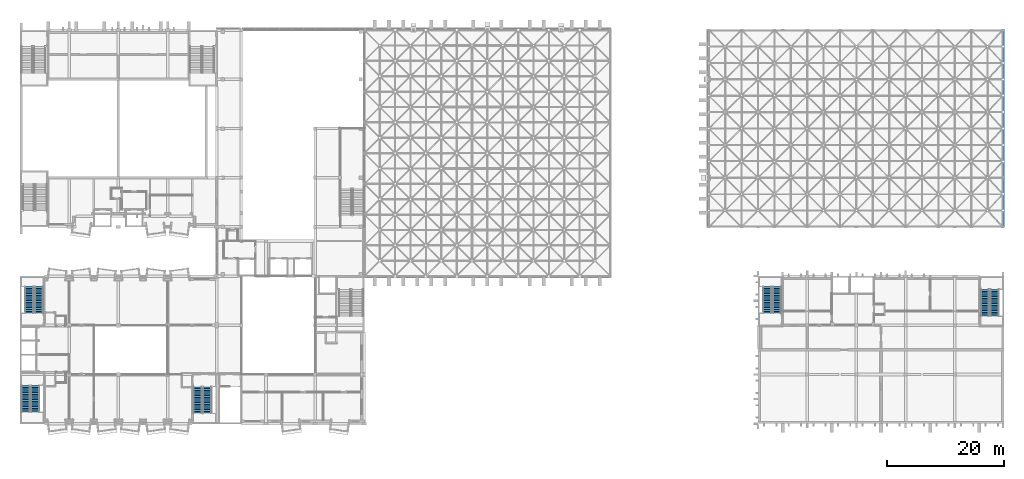
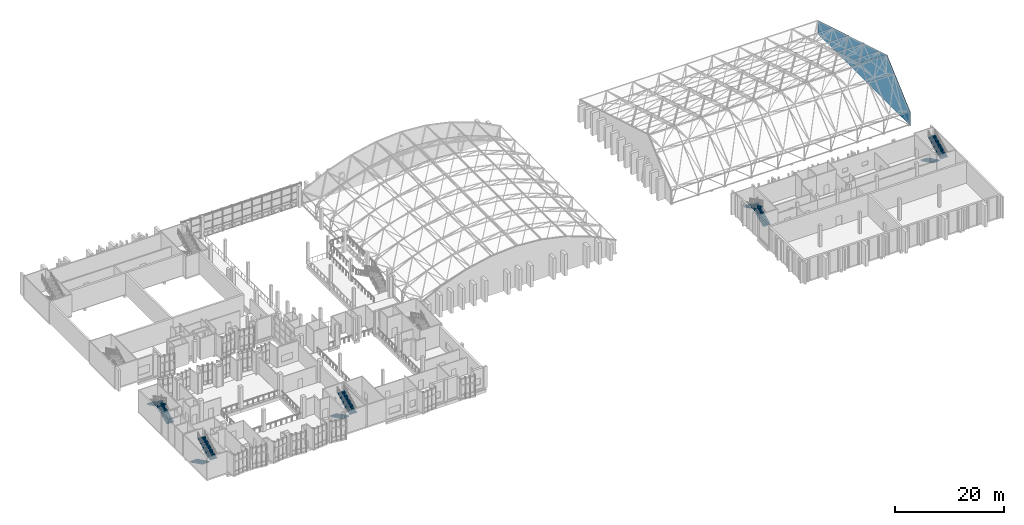
# One storey, part 73 of 100: 10 stair flights, 1 wall, 5 elements without a shape of their own.
"""IFC4 building model written with IfcOpenShell, lengths in metres."""

from ifc_helpers import new_model, si_unit, direction, frame, origin, place, context, subcontext, project, spatial, polyline, outline, extrude, material, layer, layer_set, type_object, element, aggregate, save


model = new_model("IFC4")

# Units and contexts
model_context = context("Model", 3, precision=1e-05, world=origin(), true_north=direction((0.0, 1.0)))
body_context = subcontext(model_context, "Body", "Model", "MODEL_VIEW")
ifc_project = project(units=[si_unit("LENGTHUNIT", "METRE"), si_unit("AREAUNIT", "SQUARE_METRE"), si_unit("VOLUMEUNIT", "CUBIC_METRE"), si_unit("PLANEANGLEUNIT", "RADIAN"), si_unit("MASSUNIT", "GRAM", prefix="KILO")], contexts=[model_context])

# Site, building, storey
site_placement = place(None, origin())
site = spatial("IfcSite", under=ifc_project, at=site_placement, CompositionType="ELEMENT")
building_placement = place(site_placement, origin())
building = spatial("IfcBuilding", under=site, at=building_placement, Name="Kiln Court Media Centre", CompositionType="ELEMENT")
storey_placement = place(building_placement, frame((0.0, 0.0, 15.0)))
storey = spatial("IfcBuildingStorey", under=building, at=storey_placement, Name="L03", CompositionType="ELEMENT", Elevation=15.0)

# Wall
ifc_material_1 = material(Name="Aluminium 6063-T6", Category="aluminium")
ifc_layer = layer(ifc_material_1, 0.10009765625)
ifc_layer_set = layer_set([ifc_layer], Name="Aluminium louvred gable infill wall 100")
wall_type = type_object("IfcWallType", Name="Aluminium louvred gable infill wall 100", PredefinedType="SOLIDWALL", material=ifc_layer_set)
wall_placement = place(storey_placement, frame((167.949951171875, 33.60009765625, 0.0), z_axis=(0.0, 0.0, 1.0), x_axis=(0.0, 1.0, 0.0)))
element("IfcWall", 1, at=wall_placement, inside=storey, type_object=wall_type, Name="V2 E gable infill wall", PredefinedType="SOLIDWALL", context=body_context, shape_type="SweptSolid", body=[
    extrude(outline(polyline([(0.0, 0.0), (33.599853515625, 0.0), (33.60009765625, 3.0), (28.0, 4.666748046875), (22.39990234375, 6.333251953125), (16.800048828125, 8.0), (11.199951171875, 9.666748046875), (8.39990234375, 10.5), (5.60009765625, 8.0), (0.0, 3.0), (0.0, 0.0)])), frame((0.0, 0.050048828125, 0.0), z_axis=(0.0, -1.0, 0.0), x_axis=(1.0, 0.0, 0.0)), (0.0, 0.0, 1.0), 0.10009765625),
])

# Stair, stair flights
ifc_material_2 = material(Name="Concrete C40/50", Category="concrete")
stair_type = type_object("IfcStairType", Name="Concrete C40/50 dog-leg stair 1500 wide, 150 riser", PredefinedType="HALF_TURN_STAIR", material=ifc_material_2)
stair_1_placement = place(storey_placement, origin())
stair_1 = element("IfcStair", 2, at=stair_1_placement, inside=storey, type_object=stair_type, Name="ST-01 L03", PredefinedType="HALF_TURN_STAIR")
ifc_material_3 = material(Name="Concrete C40/50", Category="concrete")
stair_flight_type = type_object("IfcStairFlightType", Name="Concrete C40/50 stair flight 1500 wide, 150 riser, 300 going", PredefinedType="STRAIGHT", material=ifc_material_3)
stair_flight_1_placement = place(storey_placement, frame((0.949951171875, 6.5, 0.0), z_axis=(0.0, 0.0, 1.0), x_axis=(0.0, -1.0, 0.0)))
stair_flight_1 = element("IfcStairFlight", 3, at=stair_flight_1_placement, type_object=stair_flight_type, Name="L03-ST-5000 flight 5000", NumberOfRisers=16, NumberOfTreads=15, PredefinedType="STRAIGHT", RiserHeight=0.15, TreadLength=0.3, context=body_context, shape_type="SweptSolid", body=[
    extrude(outline(polyline([(0.0, 0.0), (0.0, 0.14990234375), (0.300048828125, 0.14990234375), (0.300048828125, 0.300048828125), (0.60009765625, 0.300048828125), (0.60009765625, 0.449951171875), (0.89990234375, 0.449951171875), (0.89990234375, 0.60009765625), (1.199951171875, 0.60009765625), (1.199951171875, 0.75), (1.5, 0.75), (1.5, 0.89990234375), (1.800048828125, 0.89990234375), (1.800048828125, 1.050048828125), (2.10009765625, 1.050048828125), (2.10009765625, 1.199951171875), (2.39990234375, 1.199951171875), (2.39990234375, 1.35009765625), (2.699951171875, 1.35009765625), (2.699951171875, 1.5), (3.0, 1.5), (3.0, 1.64990234375), (3.300048828125, 1.64990234375), (3.300048828125, 1.800048828125), (3.60009765625, 1.800048828125), (3.60009765625, 1.949951171875), (3.89990234375, 1.949951171875), (3.89990234375, 2.10009765625), (4.199951171875, 2.10009765625), (4.199951171875, 2.25), (4.5, 2.25), (4.5, 2.39990234375), (4.5, 2.08251953125), (0.335205078125, 0.0), (0.0, 0.0)])), frame((0.0, 0.75, 0.0), z_axis=(0.0, -1.0, 0.0), x_axis=(1.0, 0.0, 0.0)), (0.0, 0.0, 1.0), 1.5),
])
stair_flight_2_placement = place(storey_placement, frame((2.60009765625, 2.0, 2.39990234375), z_axis=(0.0, 0.0, 1.0), x_axis=(0.0, 1.0, 0.0)))
stair_flight_2 = element("IfcStairFlight", 4, at=stair_flight_2_placement, type_object=stair_flight_type, Name="L03-ST-5000 flight 5001", NumberOfRisers=16, NumberOfTreads=15, PredefinedType="STRAIGHT", RiserHeight=0.15, TreadLength=0.3, context=body_context, shape_type="SweptSolid", body=[
    extrude(outline(polyline([(0.0, 0.0), (0.0, 0.14990234375), (0.300048828125, 0.14990234375), (0.300048828125, 0.300048828125), (0.60009765625, 0.300048828125), (0.60009765625, 0.449951171875), (0.89990234375, 0.449951171875), (0.89990234375, 0.60009765625), (1.199951171875, 0.60009765625), (1.199951171875, 0.75), (1.5, 0.75), (1.5, 0.89990234375), (1.800048828125, 0.89990234375), (1.800048828125, 1.050048828125), (2.10009765625, 1.050048828125), (2.10009765625, 1.199951171875), (2.39990234375, 1.199951171875), (2.39990234375, 1.35009765625), (2.699951171875, 1.35009765625), (2.699951171875, 1.5), (3.0, 1.5), (3.0, 1.64990234375), (3.300048828125, 1.64990234375), (3.300048828125, 1.800048828125), (3.60009765625, 1.800048828125), (3.60009765625, 1.949951171875), (3.89990234375, 1.949951171875), (3.89990234375, 2.10009765625), (4.199951171875, 2.10009765625), (4.199951171875, 2.25), (4.5, 2.25), (4.5, 2.39990234375), (4.5, 2.08251953125), (0.335205078125, 0.0), (0.0, 0.0)])), frame((0.0, 0.75, 0.0), z_axis=(0.0, -1.0, 0.0), x_axis=(1.0, 0.0, 0.0)), (0.0, 0.0, 1.0), 1.5),
])
aggregate(stair_1, [stair_flight_1, stair_flight_2])

stair_2_placement = place(storey_placement, origin())
stair_2 = element("IfcStair", 5, at=stair_2_placement, inside=storey, type_object=stair_type, Name="ST-02 L03", PredefinedType="HALF_TURN_STAIR")
stair_flight_3_placement = place(storey_placement, frame((3.25, 18.89990234375, 0.0), z_axis=(0.0, 0.0, 1.0), x_axis=(0.0, 1.0, 0.0)))
stair_flight_3 = element("IfcStairFlight", 6, at=stair_flight_3_placement, type_object=stair_flight_type, Name="L03-ST-5001 flight 5002", NumberOfRisers=16, NumberOfTreads=15, PredefinedType="STRAIGHT", RiserHeight=0.15, TreadLength=0.3, context=body_context, shape_type="SweptSolid", body=[
    extrude(outline(polyline([(0.0, 0.0), (0.0, 0.14990234375), (0.300048828125, 0.14990234375), (0.300048828125, 0.300048828125), (0.60009765625, 0.300048828125), (0.60009765625, 0.449951171875), (0.89990234375, 0.449951171875), (0.89990234375, 0.60009765625), (1.199951171875, 0.60009765625), (1.199951171875, 0.75), (1.5, 0.75), (1.5, 0.89990234375), (1.800048828125, 0.89990234375), (1.800048828125, 1.050048828125), (2.10009765625, 1.050048828125), (2.10009765625, 1.199951171875), (2.39990234375, 1.199951171875), (2.39990234375, 1.35009765625), (2.699951171875, 1.35009765625), (2.699951171875, 1.5), (3.0, 1.5), (3.0, 1.64990234375), (3.300048828125, 1.64990234375), (3.300048828125, 1.800048828125), (3.60009765625, 1.800048828125), (3.60009765625, 1.949951171875), (3.89990234375, 1.949951171875), (3.89990234375, 2.10009765625), (4.199951171875, 2.10009765625), (4.199951171875, 2.25), (4.5, 2.25), (4.5, 2.39990234375), (4.5, 2.08251953125), (0.335205078125, 0.0), (0.0, 0.0)])), frame((0.0, 0.75, 0.0), z_axis=(0.0, -1.0, 0.0), x_axis=(1.0, 0.0, 0.0)), (0.0, 0.0, 1.0), 1.5),
])
stair_flight_4_placement = place(storey_placement, frame((1.60009765625, 23.39990234375, 2.39990234375), z_axis=(0.0, 0.0, 1.0), x_axis=(0.0, -1.0, 0.0)))
stair_flight_4 = element("IfcStairFlight", 7, at=stair_flight_4_placement, type_object=stair_flight_type, Name="L03-ST-5001 flight 5003", NumberOfRisers=16, NumberOfTreads=15, PredefinedType="STRAIGHT", RiserHeight=0.15, TreadLength=0.3, context=body_context, shape_type="SweptSolid", body=[
    extrude(outline(polyline([(0.0, 0.0), (0.0, 0.14990234375), (0.300048828125, 0.14990234375), (0.300048828125, 0.300048828125), (0.60009765625, 0.300048828125), (0.60009765625, 0.449951171875), (0.89990234375, 0.449951171875), (0.89990234375, 0.60009765625), (1.199951171875, 0.60009765625), (1.199951171875, 0.75), (1.5, 0.75), (1.5, 0.89990234375), (1.800048828125, 0.89990234375), (1.800048828125, 1.050048828125), (2.10009765625, 1.050048828125), (2.10009765625, 1.199951171875), (2.39990234375, 1.199951171875), (2.39990234375, 1.35009765625), (2.699951171875, 1.35009765625), (2.699951171875, 1.5), (3.0, 1.5), (3.0, 1.64990234375), (3.300048828125, 1.64990234375), (3.300048828125, 1.800048828125), (3.60009765625, 1.800048828125), (3.60009765625, 1.949951171875), (3.89990234375, 1.949951171875), (3.89990234375, 2.10009765625), (4.199951171875, 2.10009765625), (4.199951171875, 2.25), (4.5, 2.25), (4.5, 2.39990234375), (4.5, 2.08251953125), (0.335205078125, 0.0), (0.0, 0.0)])), frame((0.0, 0.75, 0.0), z_axis=(0.0, -1.0, 0.0), x_axis=(1.0, 0.0, 0.0)), (0.0, 0.0, 1.0), 1.5),
])
aggregate(stair_2, [stair_flight_3, stair_flight_4])

stair_3_placement = place(storey_placement, origin())
stair_3 = element("IfcStair", 8, at=stair_3_placement, inside=storey, type_object=stair_type, Name="ST-03 L03", PredefinedType="HALF_TURN_STAIR")
stair_flight_5_placement = place(storey_placement, frame((30.35009765625, 6.300048828125, 0.0), z_axis=(0.0, 0.0, 1.0), x_axis=(0.0, -1.0, 0.0)))
stair_flight_5 = element("IfcStairFlight", 9, at=stair_flight_5_placement, type_object=stair_flight_type, Name="L03-ST-5002 flight 5004", NumberOfRisers=16, NumberOfTreads=15, PredefinedType="STRAIGHT", RiserHeight=0.15, TreadLength=0.3, context=body_context, shape_type="SweptSolid", body=[
    extrude(outline(polyline([(0.0, 0.0), (0.0, 0.14990234375), (0.300048828125, 0.14990234375), (0.300048828125, 0.300048828125), (0.60009765625, 0.300048828125), (0.60009765625, 0.449951171875), (0.89990234375, 0.449951171875), (0.89990234375, 0.60009765625), (1.199951171875, 0.60009765625), (1.199951171875, 0.75), (1.5, 0.75), (1.5, 0.89990234375), (1.800048828125, 0.89990234375), (1.800048828125, 1.050048828125), (2.10009765625, 1.050048828125), (2.10009765625, 1.199951171875), (2.39990234375, 1.199951171875), (2.39990234375, 1.35009765625), (2.699951171875, 1.35009765625), (2.699951171875, 1.5), (3.0, 1.5), (3.0, 1.64990234375), (3.300048828125, 1.64990234375), (3.300048828125, 1.800048828125), (3.60009765625, 1.800048828125), (3.60009765625, 1.949951171875), (3.89990234375, 1.949951171875), (3.89990234375, 2.10009765625), (4.199951171875, 2.10009765625), (4.199951171875, 2.25), (4.5, 2.25), (4.5, 2.39990234375), (4.5, 2.08251953125), (0.335205078125, 0.0), (0.0, 0.0)])), frame((0.0, 0.75, 0.0), z_axis=(0.0, -1.0, 0.0), x_axis=(1.0, 0.0, 0.0)), (0.0, 0.0, 1.0), 1.5),
])
stair_flight_6_placement = place(storey_placement, frame((32.0, 1.800048828125, 2.39990234375), z_axis=(0.0, 0.0, 1.0), x_axis=(0.0, 1.0, 0.0)))
stair_flight_6 = element("IfcStairFlight", 10, at=stair_flight_6_placement, type_object=stair_flight_type, Name="L03-ST-5002 flight 5005", NumberOfRisers=16, NumberOfTreads=15, PredefinedType="STRAIGHT", RiserHeight=0.15, TreadLength=0.3, context=body_context, shape_type="SweptSolid", body=[
    extrude(outline(polyline([(0.0, 0.0), (0.0, 0.14990234375), (0.300048828125, 0.14990234375), (0.300048828125, 0.300048828125), (0.60009765625, 0.300048828125), (0.60009765625, 0.449951171875), (0.89990234375, 0.449951171875), (0.89990234375, 0.60009765625), (1.199951171875, 0.60009765625), (1.199951171875, 0.75), (1.5, 0.75), (1.5, 0.89990234375), (1.800048828125, 0.89990234375), (1.800048828125, 1.050048828125), (2.10009765625, 1.050048828125), (2.10009765625, 1.199951171875), (2.39990234375, 1.199951171875), (2.39990234375, 1.35009765625), (2.699951171875, 1.35009765625), (2.699951171875, 1.5), (3.0, 1.5), (3.0, 1.64990234375), (3.300048828125, 1.64990234375), (3.300048828125, 1.800048828125), (3.60009765625, 1.800048828125), (3.60009765625, 1.949951171875), (3.89990234375, 1.949951171875), (3.89990234375, 2.10009765625), (4.199951171875, 2.10009765625), (4.199951171875, 2.25), (4.5, 2.25), (4.5, 2.39990234375), (4.5, 2.08251953125), (0.335205078125, 0.0), (0.0, 0.0)])), frame((0.0, 0.75, 0.0), z_axis=(0.0, -1.0, 0.0), x_axis=(1.0, 0.0, 0.0)), (0.0, 0.0, 1.0), 1.5),
])
aggregate(stair_3, [stair_flight_5, stair_flight_6])

stair_4_placement = place(storey_placement, origin())
stair_4 = element("IfcStair", 11, at=stair_4_placement, inside=storey, type_object=stair_type, Name="ST-16 L03", PredefinedType="HALF_TURN_STAIR")
stair_flight_7_placement = place(storey_placement, frame((129.25, 18.89990234375, 0.0), z_axis=(0.0, 0.0, 1.0), x_axis=(0.0, 1.0, 0.0)))
stair_flight_7 = element("IfcStairFlight", 12, at=stair_flight_7_placement, type_object=stair_flight_type, Name="L03-ST-5007 flight 5014", NumberOfRisers=16, NumberOfTreads=15, PredefinedType="STRAIGHT", RiserHeight=0.15, TreadLength=0.3, context=body_context, shape_type="SweptSolid", body=[
    extrude(outline(polyline([(0.0, 0.0), (0.0, 0.14990234375), (0.300048828125, 0.14990234375), (0.300048828125, 0.300048828125), (0.60009765625, 0.300048828125), (0.60009765625, 0.449951171875), (0.89990234375, 0.449951171875), (0.89990234375, 0.60009765625), (1.199951171875, 0.60009765625), (1.199951171875, 0.75), (1.5, 0.75), (1.5, 0.89990234375), (1.800048828125, 0.89990234375), (1.800048828125, 1.050048828125), (2.10009765625, 1.050048828125), (2.10009765625, 1.199951171875), (2.39990234375, 1.199951171875), (2.39990234375, 1.35009765625), (2.699951171875, 1.35009765625), (2.699951171875, 1.5), (3.0, 1.5), (3.0, 1.64990234375), (3.300048828125, 1.64990234375), (3.300048828125, 1.800048828125), (3.60009765625, 1.800048828125), (3.60009765625, 1.949951171875), (3.89990234375, 1.949951171875), (3.89990234375, 2.10009765625), (4.199951171875, 2.10009765625), (4.199951171875, 2.25), (4.5, 2.25), (4.5, 2.39990234375), (4.5, 2.08251953125), (0.335205078125, 0.0), (0.0, 0.0)])), frame((0.0, 0.75, 0.0), z_axis=(0.0, -1.0, 0.0), x_axis=(1.0, 0.0, 0.0)), (0.0, 0.0, 1.0), 1.5),
])
stair_flight_8_placement = place(storey_placement, frame((127.60009765625, 23.39990234375, 2.39990234375), z_axis=(0.0, 0.0, 1.0), x_axis=(0.0, -1.0, 0.0)))
stair_flight_8 = element("IfcStairFlight", 13, at=stair_flight_8_placement, type_object=stair_flight_type, Name="L03-ST-5007 flight 5015", NumberOfRisers=16, NumberOfTreads=15, PredefinedType="STRAIGHT", RiserHeight=0.15, TreadLength=0.3, context=body_context, shape_type="SweptSolid", body=[
    extrude(outline(polyline([(0.0, 0.0), (0.0, 0.14990234375), (0.300048828125, 0.14990234375), (0.300048828125, 0.300048828125), (0.60009765625, 0.300048828125), (0.60009765625, 0.449951171875), (0.89990234375, 0.449951171875), (0.89990234375, 0.60009765625), (1.199951171875, 0.60009765625), (1.199951171875, 0.75), (1.5, 0.75), (1.5, 0.89990234375), (1.800048828125, 0.89990234375), (1.800048828125, 1.050048828125), (2.10009765625, 1.050048828125), (2.10009765625, 1.199951171875), (2.39990234375, 1.199951171875), (2.39990234375, 1.35009765625), (2.699951171875, 1.35009765625), (2.699951171875, 1.5), (3.0, 1.5), (3.0, 1.64990234375), (3.300048828125, 1.64990234375), (3.300048828125, 1.800048828125), (3.60009765625, 1.800048828125), (3.60009765625, 1.949951171875), (3.89990234375, 1.949951171875), (3.89990234375, 2.10009765625), (4.199951171875, 2.10009765625), (4.199951171875, 2.25), (4.5, 2.25), (4.5, 2.39990234375), (4.5, 2.08251953125), (0.335205078125, 0.0), (0.0, 0.0)])), frame((0.0, 0.75, 0.0), z_axis=(0.0, -1.0, 0.0), x_axis=(1.0, 0.0, 0.0)), (0.0, 0.0, 1.0), 1.5),
])
aggregate(stair_4, [stair_flight_7, stair_flight_8])

stair_5_placement = place(storey_placement, origin())
stair_5 = element("IfcStair", 14, at=stair_5_placement, inside=storey, type_object=stair_type, Name="ST-17 L03", PredefinedType="HALF_TURN_STAIR")
stair_flight_9_placement = place(storey_placement, frame((164.75, 22.89990234375, 0.0), z_axis=(0.0, 0.0, 1.0), x_axis=(0.0, -1.0, 0.0)))
stair_flight_9 = element("IfcStairFlight", 15, at=stair_flight_9_placement, type_object=stair_flight_type, Name="L03-ST-5008 flight 5016", NumberOfRisers=16, NumberOfTreads=15, PredefinedType="STRAIGHT", RiserHeight=0.15, TreadLength=0.3, context=body_context, shape_type="SweptSolid", body=[
    extrude(outline(polyline([(0.0, 0.0), (0.0, 0.14990234375), (0.300048828125, 0.14990234375), (0.300048828125, 0.300048828125), (0.60009765625, 0.300048828125), (0.60009765625, 0.449951171875), (0.89990234375, 0.449951171875), (0.89990234375, 0.60009765625), (1.199951171875, 0.60009765625), (1.199951171875, 0.75), (1.5, 0.75), (1.5, 0.89990234375), (1.800048828125, 0.89990234375), (1.800048828125, 1.050048828125), (2.10009765625, 1.050048828125), (2.10009765625, 1.199951171875), (2.39990234375, 1.199951171875), (2.39990234375, 1.35009765625), (2.699951171875, 1.35009765625), (2.699951171875, 1.5), (3.0, 1.5), (3.0, 1.64990234375), (3.300048828125, 1.64990234375), (3.300048828125, 1.800048828125), (3.60009765625, 1.800048828125), (3.60009765625, 1.949951171875), (3.89990234375, 1.949951171875), (3.89990234375, 2.10009765625), (4.199951171875, 2.10009765625), (4.199951171875, 2.25), (4.5, 2.25), (4.5, 2.39990234375), (4.5, 2.08251953125), (0.335205078125, 0.0), (0.0, 0.0)])), frame((0.0, 0.75, 0.0), z_axis=(0.0, -1.0, 0.0), x_axis=(1.0, 0.0, 0.0)), (0.0, 0.0, 1.0), 1.5),
])
stair_flight_10_placement = place(storey_placement, frame((166.39990234375, 18.39990234375, 2.39990234375), z_axis=(0.0, 0.0, 1.0), x_axis=(0.0, 1.0, 0.0)))
stair_flight_10 = element("IfcStairFlight", 16, at=stair_flight_10_placement, type_object=stair_flight_type, Name="L03-ST-5008 flight 5017", NumberOfRisers=16, NumberOfTreads=15, PredefinedType="STRAIGHT", RiserHeight=0.15, TreadLength=0.3, context=body_context, shape_type="SweptSolid", body=[
    extrude(outline(polyline([(0.0, 0.0), (0.0, 0.14990234375), (0.300048828125, 0.14990234375), (0.300048828125, 0.300048828125), (0.60009765625, 0.300048828125), (0.60009765625, 0.449951171875), (0.89990234375, 0.449951171875), (0.89990234375, 0.60009765625), (1.199951171875, 0.60009765625), (1.199951171875, 0.75), (1.5, 0.75), (1.5, 0.89990234375), (1.800048828125, 0.89990234375), (1.800048828125, 1.050048828125), (2.10009765625, 1.050048828125), (2.10009765625, 1.199951171875), (2.39990234375, 1.199951171875), (2.39990234375, 1.35009765625), (2.699951171875, 1.35009765625), (2.699951171875, 1.5), (3.0, 1.5), (3.0, 1.64990234375), (3.300048828125, 1.64990234375), (3.300048828125, 1.800048828125), (3.60009765625, 1.800048828125), (3.60009765625, 1.949951171875), (3.89990234375, 1.949951171875), (3.89990234375, 2.10009765625), (4.199951171875, 2.10009765625), (4.199951171875, 2.25), (4.5, 2.25), (4.5, 2.39990234375), (4.5, 2.08251953125), (0.335205078125, 0.0), (0.0, 0.0)])), frame((0.0, 0.75, 0.0), z_axis=(0.0, -1.0, 0.0), x_axis=(1.0, 0.0, 0.0)), (0.0, 0.0, 1.0), 1.5),
])
aggregate(stair_5, [stair_flight_9, stair_flight_10])

save(model, "model.ifc")
